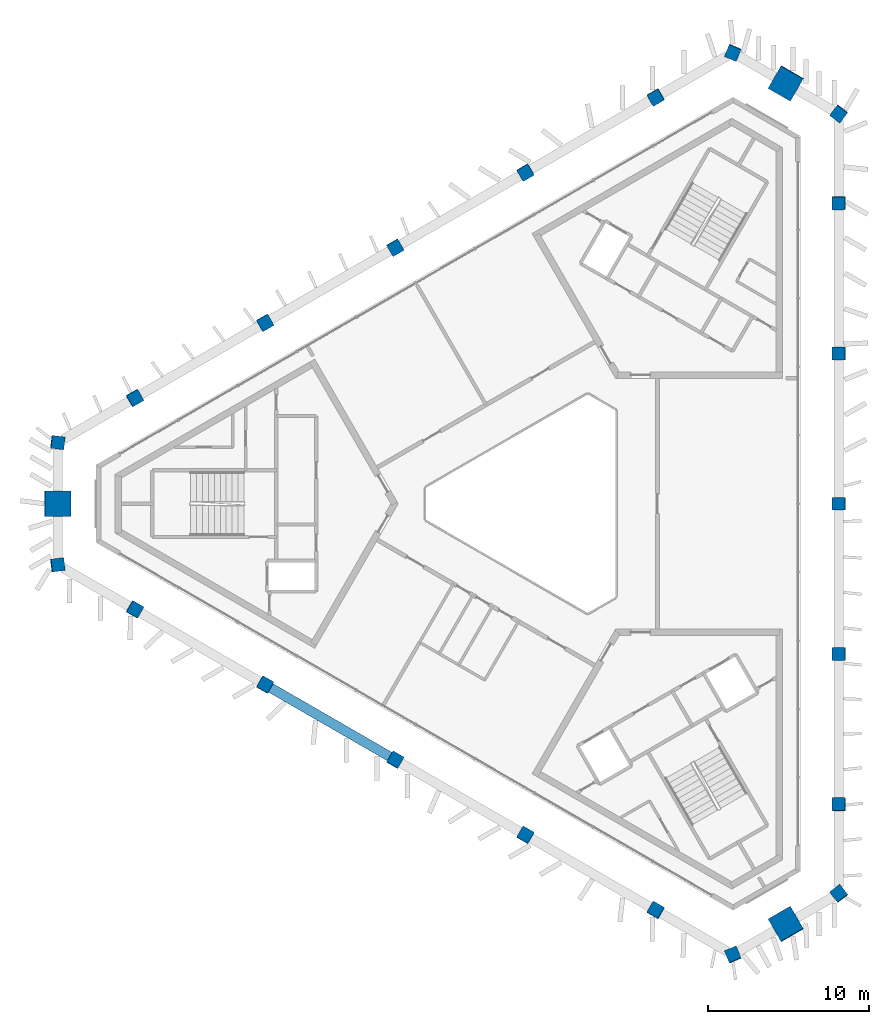
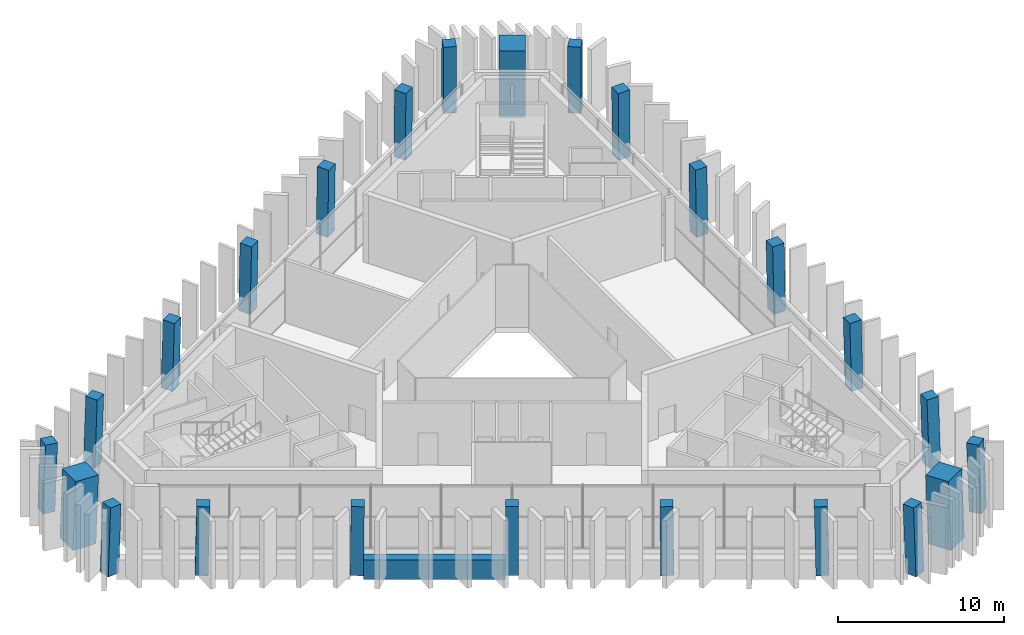
# One storey, part 1 of 13: 24 columns, 1 beam.
"""IFC4 building model written with IfcOpenShell, lengths in metres."""

from ifc_helpers import new_model, si_unit, direction, frame, origin, origin_2d, place, context, subcontext, project, spatial, rectangle, extrude, material, material_profile, profile_set, type_object, element, save


model = new_model("IFC4")

# Units and contexts
model_context = context("Model", 3, precision=1e-05, world=origin(), true_north=direction((0.0, 1.0)))
body_context = subcontext(model_context, "Body", "Model", "MODEL_VIEW")
ifc_project = project(units=[si_unit("LENGTHUNIT", "METRE"), si_unit("AREAUNIT", "SQUARE_METRE"), si_unit("VOLUMEUNIT", "CUBIC_METRE"), si_unit("PLANEANGLEUNIT", "RADIAN"), si_unit("MASSUNIT", "GRAM", prefix="KILO")], contexts=[model_context])

# Site, building, storey
site_placement = place(None, origin())
site = spatial("IfcSite", under=ifc_project, at=site_placement, CompositionType="ELEMENT")
building_placement = place(site_placement, origin())
building = spatial("IfcBuilding", under=site, at=building_placement, Name="Jabali Bay Hotel Tower and Convention Centre", CompositionType="ELEMENT")
storey_placement = place(building_placement, frame((0.0, 0.0, 310.800048828125)))
storey = spatial("IfcBuildingStorey", under=building, at=storey_placement, Name="L76", CompositionType="ELEMENT", Elevation=310.800048828125)

# Columns
ifc_material_1 = material(Name="Concrete C60", Category="concrete")
ifc_material_profile_1 = material_profile(ifc_material_1, rectangle(XDim=0.800048828125, YDim=0.800048828125, at=origin_2d()), Name="Frame column 800")
ifc_profile_set_1 = profile_set([ifc_material_profile_1], Name="Concrete C60")
column_type_1 = type_object("IfcColumnType", Name="Frame column 800", PredefinedType="COLUMN", material=ifc_profile_set_1)
column_1_placement = place(storey_placement, frame((81.996337890625, 105.263671875, 0.0), z_axis=(-0.008394822002, -0.028112892285, 0.999569503462), x_axis=(0.866395669888, 0.498903308519, 0.021308025436)))
element("IfcColumn", 1, at=column_1_placement, inside=storey, type_object=column_type_1, Name="FC6 F1.1 L76", PredefinedType="COLUMN", context=body_context, shape_type="SweptSolid", body=[
    extrude(rectangle(XDim=0.800048828125, YDim=0.800048828125, at=origin_2d()), origin(), (0.0, 0.0, 1.0), 5.002197265625),
])
column_2_placement = place(storey_placement, frame((73.90283203125, 100.591064453125, 0.0), z_axis=(0.0008786775, -0.022796799577, 0.999739733058), x_axis=(0.865573854878, 0.500667908743, 0.010655839062)))
element("IfcColumn", 2, at=column_2_placement, inside=storey, type_object=column_type_1, Name="FC6 F1.2 L76", PredefinedType="COLUMN", context=body_context, shape_type="SweptSolid", body=[
    extrude(rectangle(XDim=0.800048828125, YDim=0.800048828125, at=origin_2d()), origin(), (0.0, 0.0, 1.0), 5.001220703125),
])
column_3_placement = place(storey_placement, frame((65.8095703125, 95.91845703125, 0.0), z_axis=(0.010105361972, -0.017476906212, 0.999796198937), x_axis=(0.865699779667, 0.500563573869, 9.302e-08)))
element("IfcColumn", 3, at=column_3_placement, inside=storey, type_object=column_type_1, Name="FC6 F1.3 L76", PredefinedType="COLUMN", context=body_context, shape_type="SweptSolid", body=[
    extrude(rectangle(XDim=0.800048828125, YDim=0.800048828125, at=origin_2d()), origin(), (0.0, 0.0, 1.0), 5.0009765625),
])
column_4_placement = place(storey_placement, frame((57.716064453125, 91.24560546875, 0.0), z_axis=(0.01933089569, -0.012155032896, 0.999739251829), x_axis=(-0.49971101849, 0.865956827544, 0.020190860028)))
element("IfcColumn", 4, at=column_4_placement, inside=storey, type_object=column_type_1, Name="FC6 F1.4 L76", PredefinedType="COLUMN", context=body_context, shape_type="SweptSolid", body=[
    extrude(rectangle(XDim=0.800048828125, YDim=0.800048828125, at=origin_2d()), origin(), (0.0, 0.0, 1.0), 5.001220703125),
])
for number, where, z_axis, x_axis, name in (
    (5, (49.622802734375, 86.572998046875, 0.0), (0.028552140413, -0.006832990868, 0.999568949855), (-0.499225485937, 0.866237043415, 0.020181645281), "FC6 F1.5 L76"),
    (6, (49.622802734375, 73.427001953125, 0.0), (0.028552140413, 0.006832990868, 0.999568949855), (-0.86600155281, 0.499586523888, 0.021321718508), "FC6 F2.1 L76"),
):
    element("IfcColumn", number, at=place(storey_placement, frame(where, z_axis=z_axis, x_axis=x_axis)), inside=storey, type_object=column_type_1, Name=name, PredefinedType="COLUMN", context=body_context, shape_type="SweptSolid", body=[
        extrude(rectangle(XDim=0.800048828125, YDim=0.800048828125, at=origin_2d()), origin(), (0.0, 0.0, 1.0), 5.002197265625),
    ])
column_5_placement = place(storey_placement, frame((57.716064453125, 68.75439453125, 0.0), z_axis=(0.01933089569, 0.012155032896, 0.999739251829), x_axis=(-0.865976451453, 0.499971027165, 0.010665717237)))
element("IfcColumn", 7, at=column_5_placement, inside=storey, type_object=column_type_1, Name="FC6 F2.2 L76", PredefinedType="COLUMN", context=body_context, shape_type="SweptSolid", body=[
    extrude(rectangle(XDim=0.800048828125, YDim=0.800048828125, at=origin_2d()), origin(), (0.0, 0.0, 1.0), 5.001220703125),
])
column_6_placement = place(storey_placement, frame((65.8095703125, 64.08154296875, 0.0), z_axis=(0.010105361972, 0.017476906212, 0.999796198937), x_axis=(-0.500461560107, -0.865523348191, 0.020188129961)))
element("IfcColumn", 8, at=column_6_placement, inside=storey, type_object=column_type_1, Name="FC6 F2.3 L76", PredefinedType="COLUMN", context=body_context, shape_type="SweptSolid", body=[
    extrude(rectangle(XDim=0.800048828125, YDim=0.800048828125, at=origin_2d()), origin(), (0.0, 0.0, 1.0), 5.0009765625),
])
column_7_placement = place(storey_placement, frame((73.90283203125, 59.408935546875, 0.0), z_axis=(0.0008786775, 0.022796799577, 0.999739733058), x_axis=(-0.500780520465, -0.865339211572, 0.020172239315)))
element("IfcColumn", 9, at=column_7_placement, inside=storey, type_object=column_type_1, Name="FC6 F2.4 L76", PredefinedType="COLUMN", context=body_context, shape_type="SweptSolid", body=[
    extrude(rectangle(XDim=0.800048828125, YDim=0.800048828125, at=origin_2d()), origin(), (0.0, 0.0, 1.0), 5.001220703125),
])
for number, where, z_axis, x_axis, name in (
    (10, (81.996337890625, 54.736328125, 0.0), (-0.008394822002, 0.028112892285, 0.999569503462), (-0.499287562595, -0.866201566633, 0.020168683673), "FC6 F2.5 L76"),
    (11, (93.380859375, 61.30908203125, 0.0), (-0.020157329952, 0.021328700215, 0.999569291543), (-0.000977538383, -0.999772367488, 0.021313320373), "FC6 F0.1 L76"),
):
    element("IfcColumn", number, at=place(storey_placement, frame(where, z_axis=z_axis, x_axis=x_axis)), inside=storey, type_object=column_type_1, Name=name, PredefinedType="COLUMN", context=body_context, shape_type="SweptSolid", body=[
        extrude(rectangle(XDim=0.800048828125, YDim=0.800048828125, at=origin_2d()), origin(), (0.0, 0.0, 1.0), 5.002197265625),
    ])
column_8_placement = place(storey_placement, frame((93.380859375, 70.654541015625, 0.0), z_axis=(-0.020160764267, 0.010690574757, 0.999739593692), x_axis=(-0.001691852121, -0.999941764046, 0.010658618721)))
element("IfcColumn", 12, at=column_8_placement, inside=storey, type_object=column_type_1, Name="FC6 F0.2 L76", PredefinedType="COLUMN", context=body_context, shape_type="SweptSolid", body=[
    extrude(rectangle(XDim=0.800048828125, YDim=0.800048828125, at=origin_2d()), origin(), (0.0, 0.0, 1.0), 5.001220703125),
])
column_9_placement = place(storey_placement, frame((93.380859375, 80.0, 0.0), z_axis=(-0.020161916437, 0.0, 0.999796727903), x_axis=(0.0, -1.0, 0.0)))
element("IfcColumn", 13, at=column_9_placement, inside=storey, type_object=column_type_1, Name="FC6 F0.3 L76", PredefinedType="COLUMN", context=body_context, shape_type="SweptSolid", body=[
    extrude(rectangle(XDim=0.800048828125, YDim=0.800048828125, at=origin_2d()), origin(), (0.0, 0.0, 1.0), 5.0009765625),
])
column_10_placement = place(storey_placement, frame((93.380859375, 89.345458984375, 0.0), z_axis=(-0.020160764267, -0.010690574757, 0.999739593692), x_axis=(0.999795319663, 0.001476525653, 0.020177677058)))
element("IfcColumn", 14, at=column_10_placement, inside=storey, type_object=column_type_1, Name="FC6 F0.4 L76", PredefinedType="COLUMN", context=body_context, shape_type="SweptSolid", body=[
    extrude(rectangle(XDim=0.800048828125, YDim=0.800048828125, at=origin_2d()), origin(), (0.0, 0.0, 1.0), 5.001220703125),
])
column_11_placement = place(storey_placement, frame((93.380859375, 98.69091796875, 0.0), z_axis=(-0.020157329952, -0.021328700215, 0.999569291543), x_axis=(0.999796342496, 0.000547497718, 0.020173591111)))
element("IfcColumn", 15, at=column_11_placement, inside=storey, type_object=column_type_1, Name="FC6 F0.5 L76", PredefinedType="COLUMN", context=body_context, shape_type="SweptSolid", body=[
    extrude(rectangle(XDim=0.800048828125, YDim=0.800048828125, at=origin_2d()), origin(), (0.0, 0.0, 1.0), 5.002197265625),
])
for number, where, z_axis, x_axis, name in (
    (16, (93.380859375, 55.764404296875, 0.0), (-0.020153444856, 0.028985826258, 0.999376635977), (-0.796944834374, -0.604050355906, 0.001448617911), "FC6 V0 L76"),
    (17, (93.380859375, 104.235595703125, 0.0), (-0.020153444856, -0.028985826258, 0.999376635977), (0.603715802033, 0.796418852995, 0.035273800045), "FC6 V1 L76"),
    (18, (86.79833984375, 108.0361328125, 0.0), (-0.015029679029, -0.031962466765, 0.999376060083), (0.921630864305, -0.388065007138, 0.001449205397), "FC6 V2 L76"),
    (19, (44.82080078125, 83.800537109375, 0.0), (0.035183125969, -0.002976658369, 0.999376449168), (-0.991520581252, 0.125069274587, 0.035279080314), "FC6 V3 L76"),
    (20, (44.82080078125, 76.199462890625, 0.0), (0.035183125969, 0.002976658369, 0.999376449168), (-0.125096301306, 0.992143546096, 0.001448910006), "FC6 V4 L76"),
    (21, (86.79833984375, 51.9638671875, 0.0), (-0.015029679029, 0.031962466765, 0.999376060083), (0.38777655771, -0.921077603111, 0.03529008837), "FC6 V5 L76"),
):
    element("IfcColumn", number, at=place(storey_placement, frame(where, z_axis=z_axis, x_axis=x_axis)), inside=storey, type_object=column_type_1, Name=name, PredefinedType="COLUMN", context=body_context, shape_type="SweptSolid", body=[
        extrude(rectangle(XDim=0.800048828125, YDim=0.800048828125, at=origin_2d()), origin(), (0.0, 0.0, 1.0), 5.003173828125),
    ])
ifc_material_2 = material(Name="Concrete C70", Category="concrete")
ifc_material_profile_2 = material_profile(ifc_material_2, rectangle(XDim=1.60009765625, YDim=1.60009765625, at=origin_2d()), Name="Mega column 1600")
ifc_profile_set_2 = profile_set([ifc_material_profile_2], Name="Concrete C70")
column_type_2 = type_object("IfcColumnType", Name="Mega column 1600", PredefinedType="COLUMN", material=ifc_profile_set_2)
for number, where, z_axis, x_axis, name in (
    (22, (90.089599609375, 106.135986328125, 0.0), (-0.017616016691, -0.030498643856, 0.999379561868), (0.865932482491, -0.500160909875, 5.1636e-08), "MC6 M1 L76"),
    (23, (44.82080078125, 80.0, 0.0), (0.03518328184, 0.0, 0.999380876683), (0.0, 1.0, 0.0), "MC6 M0 L76"),
    (24, (90.089599609375, 53.864013671875, 0.0), (-0.017616016691, 0.030498643856, 0.999379561868), (-0.865931069193, -0.50016335672, 4.7948e-08), "MC6 M2 L76"),
):
    element("IfcColumn", number, at=place(storey_placement, frame(where, z_axis=z_axis, x_axis=x_axis)), inside=storey, type_object=column_type_2, Name=name, PredefinedType="COLUMN", context=body_context, shape_type="SweptSolid", body=[
        extrude(rectangle(XDim=1.60009765625, YDim=1.60009765625, at=origin_2d()), origin(), (0.0, 0.0, 1.0), 5.003173828125),
    ])

# Beam
ifc_material_profile_3 = material_profile(ifc_material_1, rectangle(XDim=0.60009765625, YDim=1.449951171875, at=origin_2d()), Name="Spandrel 600x1450")
ifc_profile_set_3 = profile_set([ifc_material_profile_3], Name="Concrete C60")
beam_type = type_object("IfcBeamType", Name="Spandrel 600x1450", PredefinedType="SPANDREL", material=ifc_profile_set_3)
beam_placement = place(storey_placement, frame((58.06982421875, 68.558837890625, 0.375), z_axis=(0.866019938752, -0.500009465595, 0.0), x_axis=(0.500009465595, 0.866019938752, 0.0)))
element("IfcBeam", 25, at=beam_placement, inside=storey, type_object=beam_type, Name="Spandrel F2.2-F2.3 L76", PredefinedType="SPANDREL", context=body_context, shape_type="SweptSolid", body=[
    extrude(rectangle(XDim=0.60009765625, YDim=1.449951171875, at=origin_2d()), origin(), (0.0, 0.0, 1.0), 8.541259765625),
])

save(model, "model.ifc")
